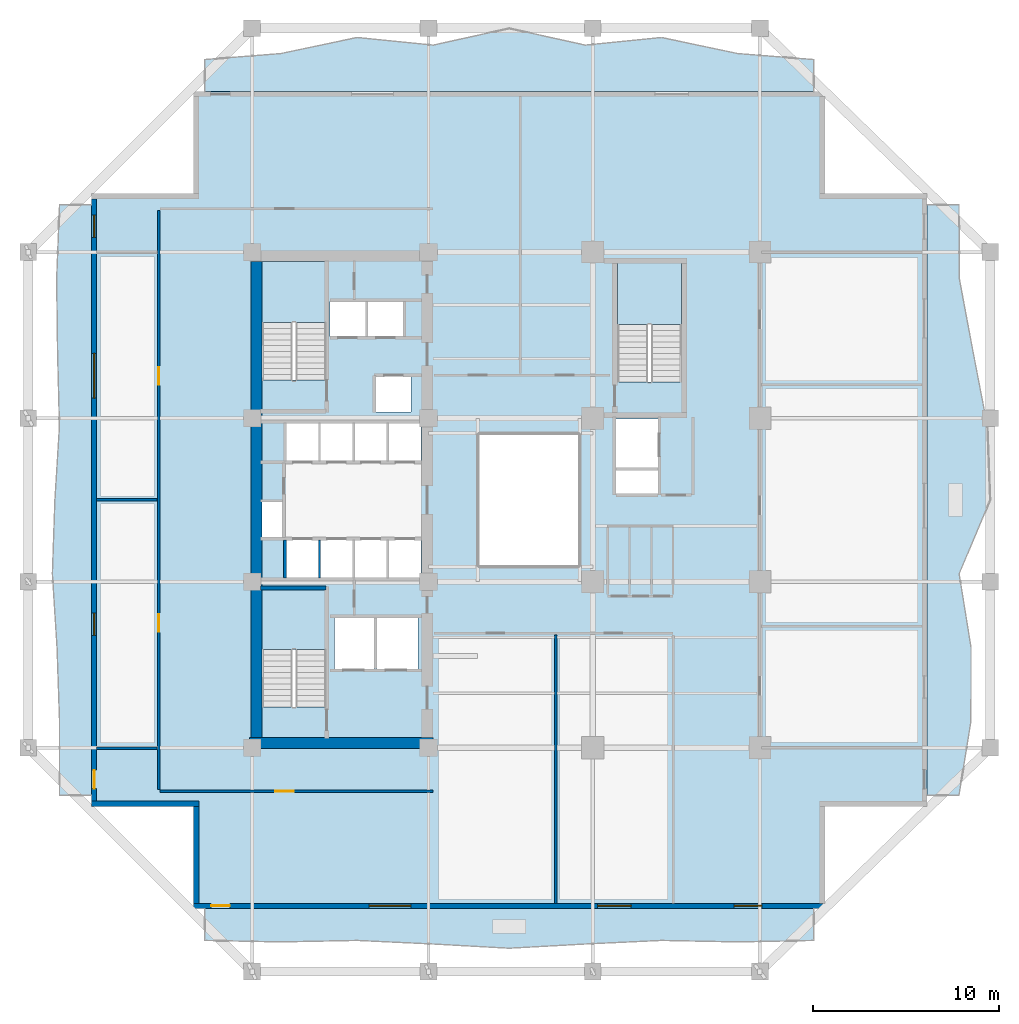
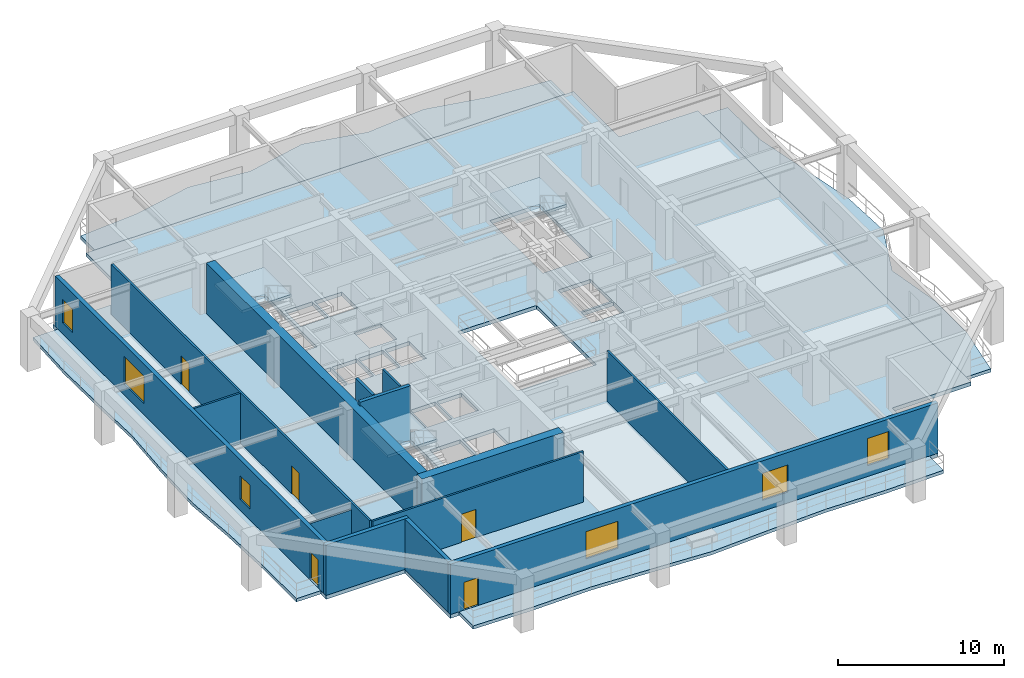
# One storey, part 2 of 12: 14 walls, 8 slabs, 6 windows, 5 doors, 11 openings, 3 elements without a shape of their own.
"""IFC4 building model written with IfcOpenShell, lengths in metres."""

from ifc_helpers import new_model, si_unit, direction, frame, frame_2d, origin, place, context, subcontext, project, spatial, polyline, rectangle, outline, extrude, material, layer, layer_set, type_object, element, fill, aggregate, save


model = new_model("IFC4")

# Units and contexts
model_context = context("Model", 3, precision=1e-05, world=origin(), true_north=direction((0.0, 1.0)))
body_context = subcontext(model_context, "Body", "Model", "MODEL_VIEW")
ifc_project = project(units=[si_unit("LENGTHUNIT", "METRE"), si_unit("AREAUNIT", "SQUARE_METRE"), si_unit("VOLUMEUNIT", "CUBIC_METRE"), si_unit("PLANEANGLEUNIT", "RADIAN"), si_unit("MASSUNIT", "GRAM", prefix="KILO")], contexts=[model_context])

# Site, building, storey
site_placement = place(None, origin())
site = spatial("IfcSite", under=ifc_project, at=site_placement, CompositionType="ELEMENT")
building_placement = place(site_placement, origin())
building = spatial("IfcBuilding", under=site, at=building_placement, Name="Kundavana Baori Tower", CompositionType="ELEMENT")
storey_placement = place(building_placement, frame((0.0, 0.0, 38.0)))
storey = spatial("IfcBuildingStorey", under=building, at=storey_placement, Name="L08", CompositionType="ELEMENT", Elevation=38.0)

# Slab
ifc_material_1 = material(Name="Concrete C40/50", Category="concrete")
ifc_layer_1 = layer(ifc_material_1, 0.280029296875, Name="SLB-FLR-280")
ifc_layer_set_1 = layer_set([ifc_layer_1], Name="Concrete C40/50")
slab_type_1 = type_object("IfcSlabType", Name="SLB-FLR-280", PredefinedType="FLOOR", material=ifc_layer_set_1)
slab_1_placement = place(storey_placement, frame((0.0, 0.0, -0.280029296875)))
element("IfcSlab", 1, at=slab_1_placement, inside=storey, type_object=slab_type_1, Name="L08 Structural Floor Slab", PredefinedType="FLOOR", context=body_context, shape_type="SweptSolid", body=[
    extrude(outline(polyline([(12.300048828125, 6.60009765625), (46.300048828125, 6.60009765625), (46.300048828125, 12.10009765625), (51.800048828125, 12.10009765625), (51.800048828125, 45.10009765625), (46.300048828125, 45.10009765625), (46.300048828125, 50.60009765625), (12.300048828125, 50.60009765625), (12.300048828125, 45.10009765625), (6.800048828125, 45.10009765625), (6.800048828125, 12.10009765625), (12.300048828125, 12.10009765625), (12.300048828125, 6.60009765625)]), holes=[polyline([(19.43994140625, 17.4619140625), (19.43994140625, 23.85009765625), (15.97998046875, 23.85009765625), (15.97998046875, 17.4619140625), (19.43994140625, 17.4619140625)]), polyline([(19.43994140625, 35.06201171875), (19.43994140625, 41.449951171875), (15.97998046875, 41.449951171875), (15.97998046875, 35.06201171875), (19.43994140625, 35.06201171875)]), polyline([(38.580078125, 34.9619140625), (38.580078125, 41.35009765625), (35.1201171875, 41.35009765625), (35.1201171875, 34.9619140625), (38.580078125, 34.9619140625)]), polyline([(17.300048828125, 24.39990234375), (19.02001953125, 24.39990234375), (19.02001953125, 26.449951171875), (17.300048828125, 26.449951171875), (17.300048828125, 24.39990234375)]), polyline([(19.139892578125, 24.39990234375), (20.860107421875, 24.39990234375), (20.860107421875, 26.449951171875), (19.139892578125, 26.449951171875), (19.139892578125, 24.39990234375)]), polyline([(20.97998046875, 24.39990234375), (22.699951171875, 24.39990234375), (22.699951171875, 26.449951171875), (20.97998046875, 26.449951171875), (20.97998046875, 24.39990234375)]), polyline([(22.820068359375, 24.39990234375), (24.5400390625, 24.39990234375), (24.5400390625, 26.449951171875), (22.820068359375, 26.449951171875), (22.820068359375, 24.39990234375)]), polyline([(17.300048828125, 30.699951171875), (19.02001953125, 30.699951171875), (19.02001953125, 32.75), (17.300048828125, 32.75), (17.300048828125, 30.699951171875)]), polyline([(19.139892578125, 30.699951171875), (20.860107421875, 30.699951171875), (20.860107421875, 32.75), (19.139892578125, 32.75), (19.139892578125, 30.699951171875)]), polyline([(20.97998046875, 30.699951171875), (22.699951171875, 30.699951171875), (22.699951171875, 32.75), (20.97998046875, 32.75), (20.97998046875, 30.699951171875)]), polyline([(22.820068359375, 30.699951171875), (24.5400390625, 30.699951171875), (24.5400390625, 32.75), (22.820068359375, 32.75), (22.820068359375, 30.699951171875)]), polyline([(19.64990234375, 37.39990234375), (21.550048828125, 37.39990234375), (21.550048828125, 39.300048828125), (19.64990234375, 39.300048828125), (19.64990234375, 37.39990234375)]), polyline([(21.699951171875, 37.39990234375), (23.60009765625, 37.39990234375), (23.60009765625, 39.300048828125), (21.699951171875, 39.300048828125), (21.699951171875, 37.39990234375)]), polyline([(22.10009765625, 33.35009765625), (24.0, 33.35009765625), (24.0, 35.25), (22.10009765625, 35.25), (22.10009765625, 33.35009765625)]), polyline([(19.8798828125, 19.5), (22.02001953125, 19.5), (22.02001953125, 22.25), (19.8798828125, 22.25), (19.8798828125, 19.5)]), polyline([(22.179931640625, 19.5), (24.3798828125, 19.5), (24.3798828125, 22.25), (22.179931640625, 22.25), (22.179931640625, 19.5)]), polyline([(35.050048828125, 30.35009765625), (37.300048828125, 30.35009765625), (37.300048828125, 32.949951171875), (35.050048828125, 32.949951171875), (35.050048828125, 30.35009765625)]), polyline([(15.949951171875, 26.60009765625), (17.080078125, 26.60009765625), (17.080078125, 28.5), (15.949951171875, 28.5), (15.949951171875, 26.60009765625)]), polyline([(35.050048828125, 28.949951171875), (37.300048828125, 28.949951171875), (37.300048828125, 30.199951171875), (35.050048828125, 30.199951171875), (35.050048828125, 28.949951171875)]), polyline([(27.60009765625, 25.0), (33.10009765625, 25.0), (33.10009765625, 32.199951171875), (27.60009765625, 32.199951171875), (27.60009765625, 25.0)])]), origin(), (0.0, 0.0, 1.0), 0.280029296875),
])

# Stair, slab
ifc_material_2 = material(Name="Concrete C40/50", Category="concrete")
stair_type = type_object("IfcStairType", Name="STR-DOG-1650", PredefinedType="HALF_TURN_STAIR", material=ifc_material_2)
stair_1_placement = place(storey_placement, origin())
stair_1 = element("IfcStair", 2, at=stair_1_placement, inside=storey, type_object=stair_type, Name="L08 Protected Exit Stair ST1", PredefinedType="HALF_TURN_STAIR")
ifc_material_3 = material(Name="Concrete C40/50", Category="concrete")
ifc_layer_2 = layer(ifc_material_3, 0.199951171875, Name="SLB-LND-200")
ifc_layer_set_2 = layer_set([ifc_layer_2], Name="Concrete C40/50")
slab_type_2 = type_object("IfcSlabType", Name="SLB-LND-200", PredefinedType="LANDING", material=ifc_layer_set_2)
slab_2_placement = place(storey_placement, frame((0.0, 0.0, 1.800048828125)))
slab_2 = element("IfcSlab", 3, at=slab_2_placement, type_object=slab_type_2, Name="ST1 landing 1", PredefinedType="LANDING", context=body_context, shape_type="SweptSolid", body=[
    extrude(outline(polyline([(19.43994140625, 20.550048828125), (19.43994140625, 23.85009765625), (15.97998046875, 23.85009765625), (15.97998046875, 20.550048828125), (19.43994140625, 20.550048828125)])), origin(), (0.0, 0.0, 1.0), 0.199951171875),
])
aggregate(stair_1, [slab_2])

stair_2_placement = place(storey_placement, origin())
stair_2 = element("IfcStair", 4, at=stair_2_placement, inside=storey, type_object=stair_type, Name="L08 Protected Exit Stair ST2", PredefinedType="HALF_TURN_STAIR")
slab_3_placement = place(storey_placement, frame((0.0, 0.0, 1.800048828125)))
slab_3 = element("IfcSlab", 5, at=slab_3_placement, type_object=slab_type_2, Name="ST2 landing 1", PredefinedType="LANDING", context=body_context, shape_type="SweptSolid", body=[
    extrude(outline(polyline([(19.43994140625, 38.14990234375), (19.43994140625, 41.449951171875), (15.97998046875, 41.449951171875), (15.97998046875, 38.14990234375), (19.43994140625, 38.14990234375)])), origin(), (0.0, 0.0, 1.0), 0.199951171875),
])
aggregate(stair_2, [slab_3])

stair_3_placement = place(storey_placement, origin())
stair_3 = element("IfcStair", 6, at=stair_3_placement, inside=storey, type_object=stair_type, Name="L08 Protected Exit Stair ST3", PredefinedType="HALF_TURN_STAIR")
slab_4_placement = place(storey_placement, frame((0.0, 0.0, 1.800048828125)))
slab_4 = element("IfcSlab", 7, at=slab_4_placement, type_object=slab_type_2, Name="ST3 landing 1", PredefinedType="LANDING", context=body_context, shape_type="SweptSolid", body=[
    extrude(outline(polyline([(38.580078125, 38.050048828125), (38.580078125, 41.35009765625), (35.1201171875, 41.35009765625), (35.1201171875, 38.050048828125), (38.580078125, 38.050048828125)])), origin(), (0.0, 0.0, 1.0), 0.199951171875),
])
aggregate(stair_3, [slab_4])

# Slabs
ifc_material_4 = material(Name="Concrete C40/50", Category="concrete")
ifc_layer_3 = layer(ifc_material_4, 0.239990234375, Name="SLB-LOG-240")
ifc_layer_set_3 = layer_set([ifc_layer_3], Name="Concrete C40/50")
slab_type_3 = type_object("IfcSlabType", Name="SLB-LOG-240", PredefinedType="FLOOR", material=ifc_layer_set_3)
slab_5_placement = place(storey_placement, frame((0.0, 0.0, -0.239990234375)))
element("IfcSlab", 8, at=slab_5_placement, inside=storey, type_object=slab_type_3, Name="L08 Planted Loggia Balcony Slab S", PredefinedType="FLOOR", context=body_context, shape_type="SweptSolid", body=[
    extrude(outline(polyline([(12.89990234375, 6.60009765625), (45.699951171875, 6.60009765625), (45.699951171875, 4.8798828125), (41.60009765625, 4.800048828125), (37.5, 4.8798828125), (33.39990234375, 4.68603515625), (29.300048828125, 4.4599609375), (25.199951171875, 4.68603515625), (21.10009765625, 4.8798828125), (17.0, 4.800048828125), (12.89990234375, 4.8798828125), (12.89990234375, 6.60009765625)])), origin(), (0.0, 0.0, 1.0), 0.239990234375),
])
slab_6_placement = place(storey_placement, frame((0.0, 0.0, -0.239990234375)))
element("IfcSlab", 9, at=slab_6_placement, inside=storey, type_object=slab_type_3, Name="L08 Planted Loggia Balcony Slab E", PredefinedType="FLOOR", context=body_context, shape_type="SweptSolid", body=[
    extrude(outline(polyline([(51.800048828125, 12.699951171875), (51.800048828125, 44.5), (53.52001953125, 44.5), (53.5380859375, 40.52490234375), (54.281982421875, 36.550048828125), (55.050048828125, 32.574951171875), (55.199951171875, 28.60009765625), (53.528076171875, 24.625), (54.1708984375, 20.64990234375), (54.1630859375, 16.675048828125), (53.52001953125, 12.699951171875), (51.800048828125, 12.699951171875)])), origin(), (0.0, 0.0, 1.0), 0.239990234375),
])
slab_7_placement = place(storey_placement, frame((0.0, 0.0, -0.239990234375)))
element("IfcSlab", 10, at=slab_7_placement, inside=storey, type_object=slab_type_3, Name="L08 Planted Loggia Balcony Slab N", PredefinedType="FLOOR", context=body_context, shape_type="SweptSolid", body=[
    extrude(outline(polyline([(45.699951171875, 50.60009765625), (12.89990234375, 50.60009765625), (12.89990234375, 52.320068359375), (17.0, 52.64111328125), (21.10009765625, 53.508056640625), (25.199951171875, 53.095947265625), (29.300048828125, 54.0), (33.39990234375, 53.095947265625), (37.5, 53.508056640625), (41.60009765625, 52.64111328125), (45.699951171875, 52.320068359375), (45.699951171875, 50.60009765625)])), origin(), (0.0, 0.0, 1.0), 0.239990234375),
])
slab_8_placement = place(storey_placement, frame((0.0, 0.0, -0.239990234375)))
element("IfcSlab", 11, at=slab_8_placement, inside=storey, type_object=slab_type_3, Name="L08 Planted Loggia Balcony Slab W", PredefinedType="FLOOR", context=body_context, shape_type="SweptSolid", body=[
    extrude(outline(polyline([(6.800048828125, 44.5), (6.800048828125, 12.699951171875), (5.080078125, 12.699951171875), (5.080078125, 16.675048828125), (4.946044921875, 20.64990234375), (4.694091796875, 24.625), (4.830078125, 28.60009765625), (5.073974609375, 32.574951171875), (4.97412109375, 36.550048828125), (4.924072265625, 40.52490234375), (5.080078125, 44.5), (6.800048828125, 44.5)])), origin(), (0.0, 0.0, 1.0), 0.239990234375),
])

# Walls
ifc_material_5 = material(Name="Concrete C50/60", Category="concrete")
ifc_layer_4 = layer(ifc_material_5, 0.39990234375, Name="WL-CORE-400")
ifc_layer_set_4 = layer_set([ifc_layer_4], Name="Concrete C50/60")
wall_type_1 = type_object("IfcWallType", Name="WL-CORE-400", PredefinedType="SHEAR", material=ifc_layer_set_4)
wall_1_placement = place(storey_placement, frame((15.89990234375, 23.860107421875, 0.0), z_axis=(0.0, 0.0, 1.0), x_axis=(1.0, 0.0, 0.0)))
element("IfcWall", 12, at=wall_1_placement, inside=storey, type_object=wall_type_1, Name="WL-L08-ST1-N", PredefinedType="SHEAR", context=body_context, shape_type="SweptSolid", body=[
    extrude(rectangle(XDim=3.52001953125, YDim=0.239990234375, at=frame_2d((1.760009765625, 0.0))), origin(), (0.0, 0.0, 1.0), 4.0),
])
ifc_material_6 = material(Name="Concrete C60/75", Category="concrete")
ifc_layer_5 = layer(ifc_material_6, 0.60009765625, Name="WL-CORE-600")
ifc_layer_set_5 = layer_set([ifc_layer_5], Name="Concrete C60/75")
wall_type_2 = type_object("IfcWallType", Name="WL-CORE-600", PredefinedType="SHEAR", material=ifc_layer_set_5)
wall_2_placement = place(storey_placement, frame((15.300048828125, 15.510009765625, 0.0), z_axis=(0.0, 0.0, 1.0), x_axis=(1.0, 0.0, 0.0)))
element("IfcWall", 13, at=wall_2_placement, inside=storey, type_object=wall_type_2, Name="L08 Offset Core South Shear Wall", PredefinedType="SHEAR", context=body_context, shape_type="SweptSolid", body=[
    extrude(rectangle(XDim=9.8798828125, YDim=0.60009765625, at=frame_2d((4.93994140625, 0.0))), origin(), (0.0, 0.0, 1.0), 3.719970703125),
])
wall_3_placement = place(storey_placement, frame((15.68994140625, 15.81005859375, 0.0), z_axis=(0.0, 0.0, 1.0), x_axis=(0.0, 1.0, 0.0)))
element("IfcWall", 14, at=wall_3_placement, inside=storey, type_object=wall_type_2, Name="L08 Offset Core West Shear Wall", PredefinedType="SHEAR", context=body_context, shape_type="SweptSolid", body=[
    extrude(rectangle(XDim=25.6298828125, YDim=0.60009765625, at=frame_2d((12.81494140625, 0.0))), origin(), (0.0, 0.0, 1.0), 3.719970703125),
])

# Wall, openings, door, windows
ifc_material_7 = material(Name="Red-Buff Dholpur Sandstone Cladding on Concrete C40/50", Category="masonry")
ifc_layer_6 = layer(ifc_material_7, 0.280029296875, Name="WL-EXT-SAND-280")
ifc_layer_set_6 = layer_set([ifc_layer_6], Name="Red-Buff Dholpur Sandstone Cladding on Concrete C40/50")
wall_type_3 = type_object("IfcWallType", Name="WL-EXT-SAND-280", PredefinedType="STANDARD", material=ifc_layer_set_6)
wall_4_placement = place(storey_placement, frame((12.300048828125, 6.739990234375, 0.0), z_axis=(0.0, 0.0, 1.0), x_axis=(1.0, 0.0, 0.0)))
wall_4 = element("IfcWall", 15, at=wall_4_placement, inside=storey, type_object=wall_type_3, Name="L08 Exterior Insulated Facade Wall 01", PredefinedType="STANDARD", context=body_context, shape_type="SweptSolid", body=[
    extrude(rectangle(XDim=34.0, YDim=0.280029296875, at=frame_2d((17.0, 0.0))), origin(), (0.0, 0.0, 1.0), 3.719970703125),
])
opening_1_placement = place(wall_4_placement, frame((0.949951171875, 0.0, 0.0)))
opening_1 = element("IfcOpeningElement", 16, at=opening_1_placement, cuts=wall_4, Name="Opening BD-1", PredefinedType="OPENING", context=body_context, shape_type="SweptSolid", body=[
    extrude(rectangle(XDim=1.0, YDim=2.050048828125, at=frame_2d((0.5, 1.02490234375))), frame((0.0, 0.14990234375, 0.0), z_axis=(0.0, -1.0, 0.0), x_axis=(1.0, 0.0, 0.0)), (0.0, 0.0, 1.0), 0.300048828125),
])
opening_2_placement = place(wall_4_placement, frame((9.455078125, 0.0, 0.800048828125)))
opening_2 = element("IfcOpeningElement", 17, at=opening_2_placement, cuts=wall_4, Name="Opening W-10", PredefinedType="OPENING", context=body_context, shape_type="SweptSolid", body=[
    extrude(rectangle(XDim=2.25, YDim=2.0, at=frame_2d((1.125, 1.0))), frame((0.0, 0.14990234375, 0.0), z_axis=(0.0, -1.0, 0.0), x_axis=(1.0, 0.0, 0.0)), (0.0, 0.0, 1.0), 0.300048828125),
])
opening_3_placement = place(wall_4_placement, frame((21.760009765625, 0.0, 0.800048828125)))
opening_3 = element("IfcOpeningElement", 18, at=opening_3_placement, cuts=wall_4, Name="Opening W-01", PredefinedType="OPENING", context=body_context, shape_type="SweptSolid", body=[
    extrude(rectangle(XDim=1.800048828125, YDim=2.0, at=frame_2d((0.89990234375, 1.0))), frame((0.0, 0.14990234375, 0.0), z_axis=(0.0, -1.0, 0.0), x_axis=(1.0, 0.0, 0.0)), (0.0, 0.0, 1.0), 0.300048828125),
])
opening_4_placement = place(wall_4_placement, frame((29.10498046875, 0.0, 0.800048828125)))
opening_4 = element("IfcOpeningElement", 19, at=opening_4_placement, cuts=wall_4, Name="Opening W-02", PredefinedType="OPENING", context=body_context, shape_type="SweptSolid", body=[
    extrude(rectangle(XDim=1.5, YDim=2.0, at=frame_2d((0.75, 1.0))), frame((0.0, 0.14990234375, 0.0), z_axis=(0.0, -1.0, 0.0), x_axis=(1.0, 0.0, 0.0)), (0.0, 0.0, 1.0), 0.300048828125),
])
ifc_material_8 = material(Name="Architectural Patinated Bronze Metalwork")
door_type_1 = type_object("IfcDoorType", Name="DR-EXT-LOG-1000", OperationType="NOTDEFINED", PredefinedType="DOOR", material=ifc_material_8)
door_1_placement = place(opening_1_placement, frame((1.0, 0.0, 0.0), z_axis=(0.0, 0.0, 1.0), x_axis=(-1.0, 0.0, 0.0)))
door_1 = element("IfcDoor", 20, at=door_1_placement, inside=storey, type_object=door_type_1, Name="L08 Loggia Balcony Access Door S", OperationType="SINGLE_SWING_LEFT", OverallHeight=2.050048828125, OverallWidth=1.0, PredefinedType="DOOR", context=body_context, shape_type="SweptSolid", body=[
    extrude(rectangle(XDim=1.0, YDim=2.050048828125, at=frame_2d((0.5, 1.02490234375))), frame((0.0, 0.02490234375, 0.0), z_axis=(0.0, -1.0, 0.0), x_axis=(1.0, 0.0, 0.0)), (0.0, 0.0, 1.0), 0.050048828125),
])
fill(opening_1, door_1)
ifc_material_9 = material(Name="Double-Glazed Solar-Control Low-E Insulated Glass", Category="glass")
window_type_1 = type_object("IfcWindowType", Name="WIN-LOG-1500x2000", PartitioningType="SINGLE_PANEL", PredefinedType="WINDOW", material=ifc_material_9)
window_1_placement = place(opening_4_placement, origin())
window_1 = element("IfcWindow", 21, at=window_1_placement, inside=storey, type_object=window_type_1, Name="L08 Recessed Loggia Window S-3", OverallHeight=2.0, OverallWidth=1.5, PartitioningType="SINGLE_PANEL", PredefinedType="WINDOW", context=body_context, shape_type="SweptSolid", body=[
    extrude(rectangle(XDim=1.5, YDim=2.0, at=frame_2d((0.75, 1.0))), frame((0.0, 0.030029296875, 0.0), z_axis=(0.0, -1.0, 0.0), x_axis=(1.0, 0.0, 0.0)), (0.0, 0.0, 1.0), 0.06005859375),
])
fill(opening_4, window_1)
ifc_material_10 = material(Name="Double-Glazed Solar-Control Low-E Insulated Glass", Category="glass")
window_type_2 = type_object("IfcWindowType", Name="WIN-LOG-1800x2000", PartitioningType="SINGLE_PANEL", PredefinedType="WINDOW", material=ifc_material_10)
window_2_placement = place(opening_3_placement, origin())
window_2 = element("IfcWindow", 22, at=window_2_placement, inside=storey, type_object=window_type_2, Name="L08 Recessed Loggia Window S-2", OverallHeight=2.0, OverallWidth=1.800048828125, PartitioningType="SINGLE_PANEL", PredefinedType="WINDOW", context=body_context, shape_type="SweptSolid", body=[
    extrude(rectangle(XDim=1.800048828125, YDim=2.0, at=frame_2d((0.89990234375, 1.0))), frame((0.0, 0.030029296875, 0.0), z_axis=(0.0, -1.0, 0.0), x_axis=(1.0, 0.0, 0.0)), (0.0, 0.0, 1.0), 0.06005859375),
])
fill(opening_3, window_2)
ifc_material_11 = material(Name="Double-Glazed Solar-Control Low-E Insulated Glass", Category="glass")
window_type_3 = type_object("IfcWindowType", Name="WIN-LOG-2250x2000", PartitioningType="SINGLE_PANEL", PredefinedType="WINDOW", material=ifc_material_11)
window_3_placement = place(opening_2_placement, origin())
window_3 = element("IfcWindow", 23, at=window_3_placement, inside=storey, type_object=window_type_3, Name="L08 Recessed Loggia Window S-1", OverallHeight=2.0, OverallWidth=2.25, PartitioningType="SINGLE_PANEL", PredefinedType="WINDOW", context=body_context, shape_type="SweptSolid", body=[
    extrude(rectangle(XDim=2.25, YDim=2.0, at=frame_2d((1.125, 1.0))), frame((0.0, 0.030029296875, 0.0), z_axis=(0.0, -1.0, 0.0), x_axis=(1.0, 0.0, 0.0)), (0.0, 0.0, 1.0), 0.06005859375),
])
fill(opening_2, window_3)

wall_5_placement = place(storey_placement, frame((6.93994140625, 44.820068359375, 0.0), z_axis=(0.0, 0.0, 1.0), x_axis=(0.0, -1.0, 0.0)))
wall_5 = element("IfcWall", 24, at=wall_5_placement, inside=storey, type_object=wall_type_3, Name="L08 Exterior Insulated Facade Wall 10", PredefinedType="STANDARD", context=body_context, shape_type="SweptSolid", body=[
    extrude(rectangle(XDim=32.440185546875, YDim=0.280029296875, at=frame_2d((16.22021484375, 0.0))), origin(), (0.0, 0.0, 1.0), 3.719970703125),
])
opening_5_placement = place(wall_5_placement, frame((30.77001953125, 0.0, 0.0)))
opening_5 = element("IfcOpeningElement", 25, at=opening_5_placement, cuts=wall_5, Name="Opening BD-1", PredefinedType="OPENING", context=body_context, shape_type="SweptSolid", body=[
    extrude(rectangle(XDim=1.0, YDim=2.050048828125, at=frame_2d((0.5, 1.02490234375))), frame((0.0, 0.14990234375, 0.0), z_axis=(0.0, -1.0, 0.0), x_axis=(1.0, 0.0, 0.0)), (0.0, 0.0, 1.0), 0.300048828125),
])
opening_6_placement = place(wall_5_placement, frame((22.31005859375, 0.0, 0.800048828125)))
opening_6 = element("IfcOpeningElement", 26, at=opening_6_placement, cuts=wall_5, Name="Opening W-03", PredefinedType="OPENING", context=body_context, shape_type="SweptSolid", body=[
    extrude(rectangle(XDim=1.199951171875, YDim=1.75, at=frame_2d((0.60009765625, 0.875))), frame((0.0, 0.14990234375, 0.0), z_axis=(0.0, -1.0, 0.0), x_axis=(1.0, 0.0, 0.0)), (0.0, 0.0, 1.0), 0.300048828125),
])
opening_7_placement = place(wall_5_placement, frame((8.330078125, 0.0, 0.800048828125)))
opening_7 = element("IfcOpeningElement", 27, at=opening_7_placement, cuts=wall_5, Name="Opening W-04", PredefinedType="OPENING", context=body_context, shape_type="SweptSolid", body=[
    extrude(rectangle(XDim=2.39990234375, YDim=2.050048828125, at=frame_2d((1.199951171875, 1.02490234375))), frame((0.0, 0.14990234375, 0.0), z_axis=(0.0, -1.0, 0.0), x_axis=(1.0, 0.0, 0.0)), (0.0, 0.0, 1.0), 0.300048828125),
])
opening_8_placement = place(wall_5_placement, frame((0.875, 0.0, 0.800048828125)))
opening_8 = element("IfcOpeningElement", 28, at=opening_8_placement, cuts=wall_5, Name="Opening W-03", PredefinedType="OPENING", context=body_context, shape_type="SweptSolid", body=[
    extrude(rectangle(XDim=1.199951171875, YDim=1.75, at=frame_2d((0.60009765625, 0.875))), frame((0.0, 0.14990234375, 0.0), z_axis=(0.0, -1.0, 0.0), x_axis=(1.0, 0.0, 0.0)), (0.0, 0.0, 1.0), 0.300048828125),
])
door_2_placement = place(opening_5_placement, frame((1.0, 0.0, 0.0), z_axis=(0.0, 0.0, 1.0), x_axis=(-1.0, 0.0, 0.0)))
door_2 = element("IfcDoor", 29, at=door_2_placement, inside=storey, type_object=door_type_1, Name="L08 Loggia Balcony Access Door W", OperationType="SINGLE_SWING_RIGHT", OverallHeight=2.050048828125, OverallWidth=1.0, PredefinedType="DOOR", context=body_context, shape_type="SweptSolid", body=[
    extrude(rectangle(XDim=1.0, YDim=2.050048828125, at=frame_2d((0.5, 1.02490234375))), frame((0.0, 0.02490234375, 0.0), z_axis=(0.0, -1.0, 0.0), x_axis=(1.0, 0.0, 0.0)), (0.0, 0.0, 1.0), 0.050048828125),
])
fill(opening_5, door_2)
ifc_material_12 = material(Name="Double-Glazed Solar-Control Low-E Insulated Glass", Category="glass")
window_type_4 = type_object("IfcWindowType", Name="WIN-LOG-1200x1750", PartitioningType="SINGLE_PANEL", PredefinedType="WINDOW", material=ifc_material_12)
window_4_placement = place(opening_6_placement, origin())
window_4 = element("IfcWindow", 30, at=window_4_placement, inside=storey, type_object=window_type_4, Name="L08 Recessed Loggia Window W-2", OverallHeight=1.75, OverallWidth=1.199951171875, PartitioningType="SINGLE_PANEL", PredefinedType="WINDOW", context=body_context, shape_type="SweptSolid", body=[
    extrude(rectangle(XDim=1.199951171875, YDim=1.75, at=frame_2d((0.60009765625, 0.875))), frame((0.0, 0.030029296875, 0.0), z_axis=(0.0, -1.0, 0.0), x_axis=(1.0, 0.0, 0.0)), (0.0, 0.0, 1.0), 0.06005859375),
])
fill(opening_6, window_4)
window_5_placement = place(opening_8_placement, origin())
window_5 = element("IfcWindow", 31, at=window_5_placement, inside=storey, type_object=window_type_4, Name="L08 Recessed Loggia Window W-4", OverallHeight=1.75, OverallWidth=1.199951171875, PartitioningType="SINGLE_PANEL", PredefinedType="WINDOW", context=body_context, shape_type="SweptSolid", body=[
    extrude(rectangle(XDim=1.199951171875, YDim=1.75, at=frame_2d((0.60009765625, 0.875))), frame((0.0, 0.030029296875, 0.0), z_axis=(0.0, -1.0, 0.0), x_axis=(1.0, 0.0, 0.0)), (0.0, 0.0, 1.0), 0.06005859375),
])
fill(opening_8, window_5)
ifc_material_13 = material(Name="Double-Glazed Solar-Control Low-E Insulated Glass", Category="glass")
window_type_5 = type_object("IfcWindowType", Name="WIN-LOG-2400x2050", PartitioningType="SINGLE_PANEL", PredefinedType="WINDOW", material=ifc_material_13)
window_6_placement = place(opening_7_placement, origin())
window_6 = element("IfcWindow", 32, at=window_6_placement, inside=storey, type_object=window_type_5, Name="L08 Recessed Loggia Window W-3", OverallHeight=2.050048828125, OverallWidth=2.39990234375, PartitioningType="SINGLE_PANEL", PredefinedType="WINDOW", context=body_context, shape_type="SweptSolid", body=[
    extrude(rectangle(XDim=2.39990234375, YDim=2.050048828125, at=frame_2d((1.199951171875, 1.02490234375))), frame((0.0, 0.030029296875, 0.0), z_axis=(0.0, -1.0, 0.0), x_axis=(1.0, 0.0, 0.0)), (0.0, 0.0, 1.0), 0.06005859375),
])
fill(opening_7, window_6)

# Walls
wall_6_placement = place(storey_placement, frame((6.800048828125, 12.239990234375, 0.0), z_axis=(0.0, 0.0, 1.0), x_axis=(1.0, 0.0, 0.0)))
element("IfcWall", 33, at=wall_6_placement, inside=storey, type_object=wall_type_3, Name="L08 Exterior Insulated Facade Wall 11", PredefinedType="STANDARD", context=body_context, shape_type="SweptSolid", body=[
    extrude(rectangle(XDim=5.780029296875, YDim=0.280029296875, at=frame_2d((2.89013671875, 0.0))), origin(), (0.0, 0.0, 1.0), 3.719970703125),
])
wall_7_placement = place(storey_placement, frame((12.43994140625, 12.10009765625, 0.0), z_axis=(0.0, 0.0, 1.0), x_axis=(0.0, -1.0, 0.0)))
element("IfcWall", 34, at=wall_7_placement, inside=storey, type_object=wall_type_3, Name="L08 Exterior Insulated Facade Wall 12", PredefinedType="STANDARD", context=body_context, shape_type="SweptSolid", body=[
    extrude(rectangle(XDim=5.22021484375, YDim=0.280029296875, at=frame_2d((2.610107421875, 0.0))), origin(), (0.0, 0.0, 1.0), 3.719970703125),
])
ifc_material_14 = material(Name="Acoustic Gypsum Plasterboard on Galvanised Steel Studs", Category="steel")
ifc_layer_7 = layer(ifc_material_14, 0.1201171875, Name="WL-PART-120")
ifc_layer_set_7 = layer_set([ifc_layer_7], Name="Acoustic Gypsum Plasterboard on Galvanised Steel Studs")
wall_type_4 = type_object("IfcWallType", Name="WL-PART-120", PredefinedType="PARTITIONING", material=ifc_layer_set_7)
wall_8_placement = place(storey_placement, frame((19.080078125, 24.39990234375, 0.0), z_axis=(0.0, 0.0, 1.0), x_axis=(0.0, 1.0, 0.0)))
element("IfcWall", 35, at=wall_8_placement, inside=storey, type_object=wall_type_4, Name="WL-L08-LPLOW-D1", PredefinedType="PARTITIONING", context=body_context, shape_type="SweptSolid", body=[
    extrude(rectangle(XDim=2.050048828125, YDim=0.1201171875, at=frame_2d((1.02490234375, 0.0))), origin(), (0.0, 0.0, 1.0), 3.719970703125),
])

# Wall, openings, doors
ifc_material_15 = material(Name="Acoustic Gypsum Plasterboard on Galvanised Steel Studs", Category="steel")
ifc_layer_8 = layer(ifc_material_15, 0.135009765625, Name="WL-PART-135")
ifc_layer_set_8 = layer_set([ifc_layer_8], Name="Acoustic Gypsum Plasterboard on Galvanised Steel Studs")
wall_type_5 = type_object("IfcWallType", Name="WL-PART-135", PredefinedType="PARTITIONING", material=ifc_layer_set_8)
wall_9_placement = place(storey_placement, frame((10.419921875, 13.0, 0.0), z_axis=(0.0, 0.0, 1.0), x_axis=(0.0, 1.0, 0.0)))
wall_9 = element("IfcWall", 36, at=wall_9_placement, inside=storey, type_object=wall_type_5, Name="WL-L08-OW", PredefinedType="PARTITIONING", context=body_context, shape_type="SweptSolid", body=[
    extrude(rectangle(XDim=31.199951171875, YDim=0.135009765625, at=frame_2d((15.60009765625, 0.0))), origin(), (0.0, 0.0, 1.0), 3.719970703125),
])
opening_9_placement = place(wall_9_placement, frame((8.5, 0.0, 0.0)))
opening_9 = element("IfcOpeningElement", 37, at=opening_9_placement, cuts=wall_9, Name="Opening ID-095", PredefinedType="OPENING", context=body_context, shape_type="SweptSolid", body=[
    extrude(rectangle(XDim=0.949951171875, YDim=2.080078125, at=frame_2d((0.47509765625, 1.0400390625))), frame((0.0, 0.07763671875, 0.0), z_axis=(0.0, -1.0, 0.0), x_axis=(1.0, 0.0, 0.0)), (0.0, 0.0, 1.0), 0.155029296875),
])
opening_10_placement = place(wall_9_placement, frame((21.800048828125, 0.0, 0.0)))
opening_10 = element("IfcOpeningElement", 38, at=opening_10_placement, cuts=wall_9, Name="Opening ID-095", PredefinedType="OPENING", context=body_context, shape_type="SweptSolid", body=[
    extrude(rectangle(XDim=0.949951171875, YDim=2.080078125, at=frame_2d((0.47509765625, 1.0400390625))), frame((0.0, 0.07763671875, 0.0), z_axis=(0.0, -1.0, 0.0), x_axis=(1.0, 0.0, 0.0)), (0.0, 0.0, 1.0), 0.155029296875),
])
ifc_material_16 = material(Name="Engineered Teak Solid-Core Timber Veneer", Category="wood")
door_type_2 = type_object("IfcDoorType", Name="DR-INT-950", OperationType="NOTDEFINED", PredefinedType="DOOR", material=ifc_material_16)
door_3_placement = place(opening_9_placement, frame((0.949951171875, 0.0, 0.0), z_axis=(0.0, 0.0, 1.0), x_axis=(-1.0, 0.0, 0.0)))
door_3 = element("IfcDoor", 39, at=door_3_placement, inside=storey, type_object=door_type_2, Name="DR-L08-OFW1", OperationType="SINGLE_SWING_LEFT", OverallHeight=2.080078125, OverallWidth=0.949951171875, PredefinedType="DOOR", context=body_context, shape_type="SweptSolid", body=[
    extrude(rectangle(XDim=0.949951171875, YDim=2.080078125, at=frame_2d((0.47509765625, 1.0400390625))), frame((0.0, 0.02490234375, 0.0), z_axis=(0.0, -1.0, 0.0), x_axis=(1.0, 0.0, 0.0)), (0.0, 0.0, 1.0), 0.050048828125),
])
fill(opening_9, door_3)
door_4_placement = place(opening_10_placement, frame((0.949951171875, 0.0, 0.0), z_axis=(0.0, 0.0, 1.0), x_axis=(-1.0, 0.0, 0.0)))
door_4 = element("IfcDoor", 40, at=door_4_placement, inside=storey, type_object=door_type_2, Name="DR-L08-OFW2", OperationType="SINGLE_SWING_RIGHT", OverallHeight=2.080078125, OverallWidth=0.949951171875, PredefinedType="DOOR", context=body_context, shape_type="SweptSolid", body=[
    extrude(rectangle(XDim=0.949951171875, YDim=2.080078125, at=frame_2d((0.47509765625, 1.0400390625))), frame((0.0, 0.02490234375, 0.0), z_axis=(0.0, -1.0, 0.0), x_axis=(1.0, 0.0, 0.0)), (0.0, 0.0, 1.0), 0.050048828125),
])
fill(opening_10, door_4)

# Wall
wall_10_placement = place(storey_placement, frame((7.080078125, 15.219970703125, 0.0), z_axis=(0.0, 0.0, 1.0), x_axis=(1.0, 0.0, 0.0)))
element("IfcWall", 41, at=wall_10_placement, inside=storey, type_object=wall_type_5, Name="WL-L08-OWS", PredefinedType="PARTITIONING", context=body_context, shape_type="SweptSolid", body=[
    extrude(rectangle(XDim=3.260009765625, YDim=0.135009765625, at=frame_2d((1.6298828125, 0.0))), origin(), (0.0, 0.0, 1.0), 3.219970703125),
])

# Wall, opening, door
wall_11_placement = place(storey_placement, frame((10.5, 12.919921875, 0.0), z_axis=(0.0, 0.0, 1.0), x_axis=(1.0, 0.0, 0.0)))
wall_11 = element("IfcWall", 42, at=wall_11_placement, inside=storey, type_object=wall_type_5, Name="WL-L08-OSC", PredefinedType="PARTITIONING", context=body_context, shape_type="SweptSolid", body=[
    extrude(rectangle(XDim=14.699951171875, YDim=0.135009765625, at=frame_2d((7.35009765625, 0.0))), origin(), (0.0, 0.0, 1.0), 3.719970703125),
])
opening_11_placement = place(wall_11_placement, frame((6.199951171875, 0.0, 0.0)))
opening_11 = element("IfcOpeningElement", 43, at=opening_11_placement, cuts=wall_11, Name="Opening ID-100", PredefinedType="OPENING", context=body_context, shape_type="SweptSolid", body=[
    extrude(rectangle(XDim=1.0, YDim=2.080078125, at=frame_2d((0.5, 1.0400390625))), frame((0.0, 0.07763671875, 0.0), z_axis=(0.0, -1.0, 0.0), x_axis=(1.0, 0.0, 0.0)), (0.0, 0.0, 1.0), 0.155029296875),
])
ifc_material_17 = material(Name="Engineered Teak Solid-Core Timber Veneer", Category="wood")
door_type_3 = type_object("IfcDoorType", Name="DR-INT-1000", OperationType="NOTDEFINED", PredefinedType="DOOR", material=ifc_material_17)
door_5_placement = place(opening_11_placement, frame((1.0, 0.0, 0.0), z_axis=(0.0, 0.0, 1.0), x_axis=(-1.0, 0.0, 0.0)))
door_5 = element("IfcDoor", 44, at=door_5_placement, inside=storey, type_object=door_type_3, Name="DR-L08-OSWC", OperationType="SINGLE_SWING_LEFT", OverallHeight=2.080078125, OverallWidth=1.0, PredefinedType="DOOR", context=body_context, shape_type="SweptSolid", body=[
    extrude(rectangle(XDim=1.0, YDim=2.080078125, at=frame_2d((0.5, 1.0400390625))), frame((0.0, 0.02490234375, 0.0), z_axis=(0.0, -1.0, 0.0), x_axis=(1.0, 0.0, 0.0)), (0.0, 0.0, 1.0), 0.050048828125),
])
fill(opening_11, door_5)

# Walls
wall_12_placement = place(storey_placement, frame((7.080078125, 28.60009765625, 0.0), z_axis=(0.0, 0.0, 1.0), x_axis=(1.0, 0.0, 0.0)))
element("IfcWall", 45, at=wall_12_placement, inside=storey, type_object=wall_type_5, Name="WL-L08-WD1", PredefinedType="PARTITIONING", context=body_context, shape_type="SweptSolid", body=[
    extrude(rectangle(XDim=3.260009765625, YDim=0.135009765625, at=frame_2d((1.6298828125, 0.0))), origin(), (0.0, 0.0, 1.0), 3.719970703125),
])
wall_13_placement = place(storey_placement, frame((31.800048828125, 6.8798828125, 0.0), z_axis=(0.0, 0.0, 1.0), x_axis=(0.0, 1.0, 0.0)))
element("IfcWall", 46, at=wall_13_placement, inside=storey, type_object=wall_type_5, Name="WL-L08-SD1", PredefinedType="PARTITIONING", context=body_context, shape_type="SweptSolid", body=[
    extrude(rectangle(XDim=14.460205078125, YDim=0.135009765625, at=frame_2d((7.22998046875, 0.0))), origin(), (0.0, 0.0, 1.0), 3.719970703125),
])
ifc_material_18 = material(Name="Autoclaved Aerated Concrete Blockwork Masonry", Category="masonry")
ifc_layer_9 = layer(ifc_material_18, 0.179931640625, Name="WL-SHAFT-180")
ifc_layer_set_9 = layer_set([ifc_layer_9], Name="Autoclaved Aerated Concrete Blockwork Masonry")
wall_type_6 = type_object("IfcWallType", Name="WL-SHAFT-180", PredefinedType="SOLIDWALL", material=ifc_layer_set_9)
wall_14_placement = place(storey_placement, frame((17.219970703125, 24.39990234375, 0.0), z_axis=(0.0, 0.0, 1.0), x_axis=(0.0, 1.0, 0.0)))
element("IfcWall", 47, at=wall_14_placement, inside=storey, type_object=wall_type_6, Name="WL-L08-LPLOW-W", PredefinedType="SOLIDWALL", context=body_context, shape_type="SweptSolid", body=[
    extrude(rectangle(XDim=2.050048828125, YDim=0.179931640625, at=frame_2d((1.02490234375, 0.0))), origin(), (0.0, 0.0, 1.0), 3.719970703125),
])

save(model, "model.ifc")
